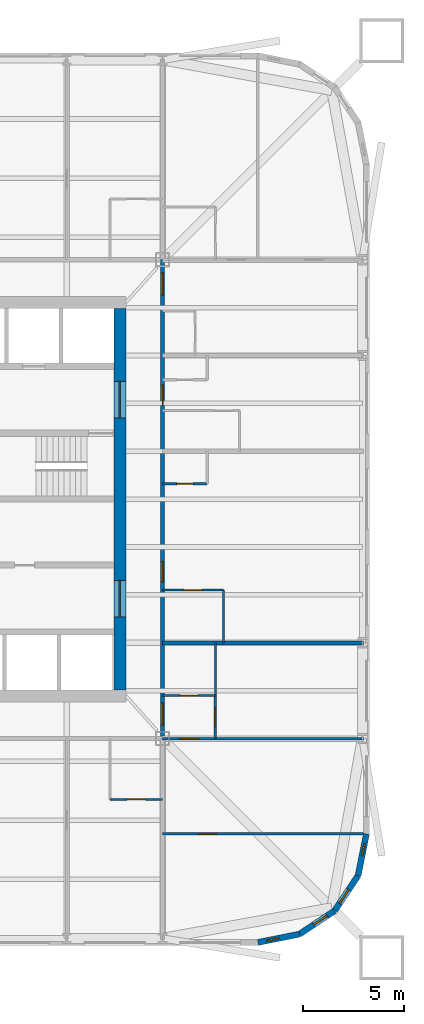
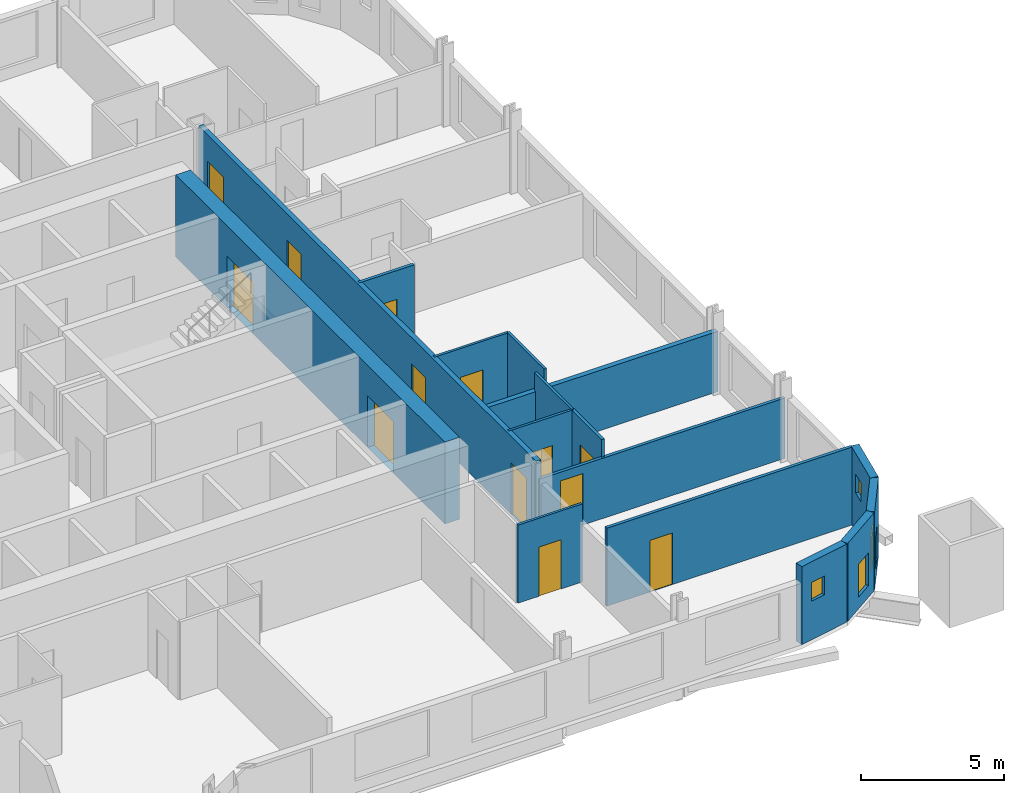
# One storey, part 5 of 9: 16 walls, 13 doors, 4 windows, 17 openings.
"""IFC4 building model written with IfcOpenShell, lengths in metres."""

from ifc_helpers import new_model, si_unit, direction, frame, frame_2d, origin, place, context, subcontext, project, spatial, rectangle, extrude, material, layer, layer_set, type_object, element, fill, save


model = new_model("IFC4")

# Units and contexts
model_context = context("Model", 3, precision=1e-05, world=origin(), true_north=direction((0.0, 1.0)))
body_context = subcontext(model_context, "Body", "Model", "MODEL_VIEW")
ifc_project = project(units=[si_unit("LENGTHUNIT", "METRE"), si_unit("AREAUNIT", "SQUARE_METRE"), si_unit("VOLUMEUNIT", "CUBIC_METRE"), si_unit("PLANEANGLEUNIT", "RADIAN"), si_unit("MASSUNIT", "GRAM", prefix="KILO")], contexts=[model_context])

# Site, building, storey
site_placement = place(None, origin())
site = spatial("IfcSite", under=ifc_project, at=site_placement, CompositionType="ELEMENT")
building_placement = place(site_placement, origin())
building = spatial("IfcBuilding", under=site, at=building_placement, Name="Turquesa Mirador Hotel Tower", CompositionType="ELEMENT")
storey_placement = place(building_placement, frame((0.0, 0.0, 81.0)))
storey = spatial("IfcBuildingStorey", under=building, at=storey_placement, Name="L21", CompositionType="ELEMENT", Elevation=81.0)

# Wall, opening, door
ifc_material_1 = material(Name="Gypsum board on steel studs", Category="steel")
ifc_layer_1 = layer(ifc_material_1, 0.10009765625)
ifc_layer_set_1 = layer_set([ifc_layer_1], Name="BATHROOM WALL 100")
wall_type_1 = type_object("IfcWallType", Name="BATHROOM WALL 100", PredefinedType="PARTITIONING", material=ifc_layer_set_1)
wall_1_placement = place(storey_placement, frame((64.199951171875, 30.199951171875, 0.0), z_axis=(0.0, 0.0, 1.0), x_axis=(1.0, 0.0, 0.0)))
wall_1 = element("IfcWall", 1, at=wall_1_placement, inside=storey, type_object=wall_type_1, Name="Partition L21 007", PredefinedType="PARTITIONING", context=body_context, shape_type="SweptSolid", body=[
    extrude(rectangle(XDim=2.60009765625, YDim=0.10009765625, at=frame_2d((1.300048828125, 0.0))), origin(), (0.0, 0.0, 1.0), 3.330078125),
])
opening_1_placement = place(wall_1_placement, frame((0.85009765625, 0.0, 0.0)))
opening_1 = element("IfcOpeningElement", 2, at=opening_1_placement, cuts=wall_1, Name="Opening D02", PredefinedType="OPENING", context=body_context, shape_type="SweptSolid", body=[
    extrude(rectangle(XDim=0.89990234375, YDim=2.10009765625, at=frame_2d((0.449951171875, 1.050048828125))), frame((0.0, 0.06005859375, 0.0), z_axis=(0.0, -1.0, 0.0), x_axis=(1.0, 0.0, 0.0)), (0.0, 0.0, 1.0), 0.1201171875),
])
ifc_material_2 = material(Name="Timber veneered door", Category="wood")
door_type_1 = type_object("IfcDoorType", Name="DOOR 900X2100 EN-SUITE", OperationType="SINGLE_SWING_RIGHT", PredefinedType="DOOR", material=ifc_material_2)
door_1_placement = place(opening_1_placement, origin())
door_1 = element("IfcDoor", 3, at=door_1_placement, inside=storey, type_object=door_type_1, Name="Door 2105B", OperationType="SINGLE_SWING_RIGHT", OverallHeight=2.10009765625, OverallWidth=0.89990234375, PredefinedType="DOOR", context=body_context, shape_type="SweptSolid", body=[
    extrude(rectangle(XDim=0.89990234375, YDim=2.10009765625, at=frame_2d((0.449951171875, 1.050048828125))), frame((0.0, 0.02490234375, 0.0), z_axis=(0.0, -1.0, 0.0), x_axis=(1.0, 0.0, 0.0)), (0.0, 0.0, 1.0), 0.050048828125),
])
fill(opening_1, door_1)

wall_2_placement = place(storey_placement, frame((66.800048828125, 40.52001953125, 0.0), z_axis=(0.0, 0.0, 1.0), x_axis=(1.0, 0.0, 0.0)))
wall_2 = element("IfcWall", 4, at=wall_2_placement, inside=storey, type_object=wall_type_1, Name="Partition L21 010", PredefinedType="PARTITIONING", context=body_context, shape_type="SweptSolid", body=[
    extrude(rectangle(XDim=3.0, YDim=0.10009765625, at=frame_2d((1.5, 0.0))), origin(), (0.0, 0.0, 1.0), 3.330078125),
])
opening_2_placement = place(wall_2_placement, frame((1.050048828125, 0.0, 0.0)))
opening_2 = element("IfcOpeningElement", 5, at=opening_2_placement, cuts=wall_2, Name="Opening D02", PredefinedType="OPENING", context=body_context, shape_type="SweptSolid", body=[
    extrude(rectangle(XDim=0.89990234375, YDim=2.10009765625, at=frame_2d((0.449951171875, 1.050048828125))), frame((0.0, 0.06005859375, 0.0), z_axis=(0.0, -1.0, 0.0), x_axis=(1.0, 0.0, 0.0)), (0.0, 0.0, 1.0), 0.1201171875),
])
door_2_placement = place(opening_2_placement, origin())
door_2 = element("IfcDoor", 6, at=door_2_placement, inside=storey, type_object=door_type_1, Name="Door 2106B", OperationType="SINGLE_SWING_RIGHT", OverallHeight=2.10009765625, OverallWidth=0.89990234375, PredefinedType="DOOR", context=body_context, shape_type="SweptSolid", body=[
    extrude(rectangle(XDim=0.89990234375, YDim=2.10009765625, at=frame_2d((0.449951171875, 1.050048828125))), frame((0.0, 0.02490234375, 0.0), z_axis=(0.0, -1.0, 0.0), x_axis=(1.0, 0.0, 0.0)), (0.0, 0.0, 1.0), 0.050048828125),
])
fill(opening_2, door_2)

wall_3_placement = place(storey_placement, frame((66.800048828125, 35.320068359375, 0.0), z_axis=(0.0, 0.0, 1.0), x_axis=(1.0, 0.0, 0.0)))
wall_3 = element("IfcWall", 7, at=wall_3_placement, inside=storey, type_object=wall_type_1, Name="Partition L21 016", PredefinedType="PARTITIONING", context=body_context, shape_type="SweptSolid", body=[
    extrude(rectangle(XDim=2.599853515625, YDim=0.10009765625, at=frame_2d((1.2998046875, 0.0))), origin(), (0.0, 0.0, 1.0), 3.330078125),
])
opening_3_placement = place(wall_3_placement, frame((0.85009765625, 0.0, 0.0)))
opening_3 = element("IfcOpeningElement", 8, at=opening_3_placement, cuts=wall_3, Name="Opening D02", PredefinedType="OPENING", context=body_context, shape_type="SweptSolid", body=[
    extrude(rectangle(XDim=0.89990234375, YDim=2.10009765625, at=frame_2d((0.449951171875, 1.050048828125))), frame((0.0, 0.06005859375, 0.0), z_axis=(0.0, -1.0, 0.0), x_axis=(1.0, 0.0, 0.0)), (0.0, 0.0, 1.0), 0.1201171875),
])
door_3_placement = place(opening_3_placement, origin())
door_3 = element("IfcDoor", 9, at=door_3_placement, inside=storey, type_object=door_type_1, Name="Door 2112B", OperationType="SINGLE_SWING_RIGHT", OverallHeight=2.10009765625, OverallWidth=0.89990234375, PredefinedType="DOOR", context=body_context, shape_type="SweptSolid", body=[
    extrude(rectangle(XDim=0.89990234375, YDim=2.10009765625, at=frame_2d((0.449951171875, 1.050048828125))), frame((0.0, 0.02490234375, 0.0), z_axis=(0.0, -1.0, 0.0), x_axis=(1.0, 0.0, 0.0)), (0.0, 0.0, 1.0), 0.050048828125),
])
fill(opening_3, door_3)

# Walls
wall_4_placement = place(storey_placement, frame((69.39990234375, 35.320068359375, 0.0), z_axis=(0.0, 0.0, 1.0), x_axis=(0.0, 1.0, 0.0)))
element("IfcWall", 10, at=wall_4_placement, inside=storey, type_object=wall_type_1, Name="Partition L21 068", PredefinedType="PARTITIONING", context=body_context, shape_type="SweptSolid", body=[
    extrude(rectangle(XDim=2.599853515625, YDim=0.10009765625, at=frame_2d((1.2998046875, 0.0))), origin(), (0.0, 0.0, 1.0), 3.330078125),
])
wall_5_placement = place(storey_placement, frame((69.800048828125, 37.919921875, 0.0), z_axis=(0.0, 0.0, 1.0), x_axis=(0.0, 1.0, 0.0)))
element("IfcWall", 11, at=wall_5_placement, inside=storey, type_object=wall_type_1, Name="Partition L21 071", PredefinedType="PARTITIONING", context=body_context, shape_type="SweptSolid", body=[
    extrude(rectangle(XDim=2.60009765625, YDim=0.10009765625, at=frame_2d((1.300048828125, 0.0))), origin(), (0.0, 0.0, 1.0), 3.330078125),
])

# Wall, openings, doors
ifc_material_3 = material(Name="Concrete C50/60", Category="concrete")
ifc_layer_2 = layer(ifc_material_3, 0.60009765625)
ifc_layer_set_2 = layer_set([ifc_layer_2], Name="CORE WALL 600")
wall_type_2 = type_object("IfcWallType", Name="CORE WALL 600", PredefinedType="SHEAR", material=ifc_layer_set_2)
wall_6_placement = place(storey_placement, frame((64.699951171875, 35.60009765625, 0.0), z_axis=(0.0, 0.0, 1.0), x_axis=(0.0, 1.0, 0.0)))
wall_6 = element("IfcWall", 12, at=wall_6_placement, inside=storey, type_object=wall_type_2, Name="Core wall E", PredefinedType="SHEAR", context=body_context, shape_type="SweptSolid", body=[
    extrude(rectangle(XDim=18.7998046875, YDim=0.60009765625, at=frame_2d((9.39990234375, 0.0))), origin(), (0.0, 0.0, 1.0), 3.5),
])
opening_4_placement = place(wall_6_placement, frame((13.39990234375, 0.0, 0.0)))
opening_4 = element("IfcOpeningElement", 13, at=opening_4_placement, cuts=wall_6, Name="Opening D04", PredefinedType="OPENING", context=body_context, shape_type="SweptSolid", body=[
    extrude(rectangle(XDim=1.800048828125, YDim=2.199951171875, at=frame_2d((0.89990234375, 1.10009765625))), frame((0.0, 0.31005859375, 0.0), z_axis=(0.0, -1.0, 0.0), x_axis=(1.0, 0.0, 0.0)), (0.0, 0.0, 1.0), 0.6201171875),
])
opening_5_placement = place(wall_6_placement, frame((3.60009765625, 0.0, 0.0)))
opening_5 = element("IfcOpeningElement", 14, at=opening_5_placement, cuts=wall_6, Name="Opening D04", PredefinedType="OPENING", context=body_context, shape_type="SweptSolid", body=[
    extrude(rectangle(XDim=1.800048828125, YDim=2.199951171875, at=frame_2d((0.89990234375, 1.10009765625))), frame((0.0, 0.31005859375, 0.0), z_axis=(0.0, -1.0, 0.0), x_axis=(1.0, 0.0, 0.0)), (0.0, 0.0, 1.0), 0.6201171875),
])
ifc_material_4 = material(Name="Steel fire door pair", Category="steel")
door_type_2 = type_object("IfcDoorType", Name="DOOR 1800X2200 PAIR", OperationType="DOUBLE_DOOR_SINGLE_SWING", PredefinedType="DOOR", material=ifc_material_4)
door_4_placement = place(opening_4_placement, origin())
door_4 = element("IfcDoor", 15, at=door_4_placement, inside=storey, type_object=door_type_2, Name="Firefighting lobby door", OperationType="DOUBLE_DOOR_SINGLE_SWING", OverallHeight=2.199951171875, OverallWidth=1.800048828125, PredefinedType="DOOR", context=body_context, shape_type="SweptSolid", body=[
    extrude(rectangle(XDim=1.800048828125, YDim=2.199951171875, at=frame_2d((0.89990234375, 1.10009765625))), frame((0.0, 0.02490234375, 0.0), z_axis=(0.0, -1.0, 0.0), x_axis=(1.0, 0.0, 0.0)), (0.0, 0.0, 1.0), 0.050048828125),
])
fill(opening_4, door_4)
door_5_placement = place(opening_5_placement, origin())
door_5 = element("IfcDoor", 16, at=door_5_placement, inside=storey, type_object=door_type_2, Name="South lift lobby door", OperationType="DOUBLE_DOOR_SINGLE_SWING", OverallHeight=2.199951171875, OverallWidth=1.800048828125, PredefinedType="DOOR", context=body_context, shape_type="SweptSolid", body=[
    extrude(rectangle(XDim=1.800048828125, YDim=2.199951171875, at=frame_2d((0.89990234375, 1.10009765625))), frame((0.0, 0.02490234375, 0.0), z_axis=(0.0, -1.0, 0.0), x_axis=(1.0, 0.0, 0.0)), (0.0, 0.0, 1.0), 0.050048828125),
])
fill(opening_5, door_5)

ifc_material_5 = material(Name="Fire-rated gypsum board on steel studs", Category="steel")
ifc_layer_3 = layer(ifc_material_5, 0.199951171875)
ifc_layer_set_3 = layer_set([ifc_layer_3], Name="CORRIDOR WALL 200")
wall_type_3 = type_object("IfcWallType", Name="CORRIDOR WALL 200", PredefinedType="PARTITIONING", material=ifc_layer_set_3)
wall_7_placement = place(storey_placement, frame((66.800048828125, 33.199951171875, 0.0), z_axis=(0.0, 0.0, 1.0), x_axis=(0.0, 1.0, 0.0)))
wall_7 = element("IfcWall", 17, at=wall_7_placement, inside=storey, type_object=wall_type_3, Name="Partition L21 062", PredefinedType="PARTITIONING", context=body_context, shape_type="SweptSolid", body=[
    extrude(rectangle(XDim=23.60009765625, YDim=0.199951171875, at=frame_2d((11.800048828125, 0.0))), origin(), (0.0, 0.0, 1.0), 3.330078125),
])
opening_6_placement = place(wall_7_placement, frame((7.719970703125, 0.0, 0.0)))
opening_6 = element("IfcOpeningElement", 18, at=opening_6_placement, cuts=wall_7, Name="Opening D01", PredefinedType="OPENING", context=body_context, shape_type="SweptSolid", body=[
    extrude(rectangle(XDim=1.0, YDim=2.199951171875, at=frame_2d((0.5, 1.10009765625))), frame((0.0, 0.10986328125, 0.0), z_axis=(0.0, -1.0, 0.0), x_axis=(1.0, 0.0, 0.0)), (0.0, 0.0, 1.0), 0.219970703125),
])
opening_7_placement = place(wall_7_placement, frame((16.419921875, 0.0, 0.0)))
opening_7 = element("IfcOpeningElement", 19, at=opening_7_placement, cuts=wall_7, Name="Opening D01", PredefinedType="OPENING", context=body_context, shape_type="SweptSolid", body=[
    extrude(rectangle(XDim=1.0, YDim=2.199951171875, at=frame_2d((0.5, 1.10009765625))), frame((0.0, 0.10986328125, 0.0), z_axis=(0.0, -1.0, 0.0), x_axis=(1.0, 0.0, 0.0)), (0.0, 0.0, 1.0), 0.219970703125),
])
opening_8_placement = place(wall_7_placement, frame((21.85009765625, 0.0, 0.0)))
opening_8 = element("IfcOpeningElement", 20, at=opening_8_placement, cuts=wall_7, Name="Opening D15", PredefinedType="OPENING", context=body_context, shape_type="SweptSolid", body=[
    extrude(rectangle(XDim=1.10009765625, YDim=2.199951171875, at=frame_2d((0.550048828125, 1.10009765625))), frame((0.0, 0.10986328125, 0.0), z_axis=(0.0, -1.0, 0.0), x_axis=(1.0, 0.0, 0.0)), (0.0, 0.0, 1.0), 0.219970703125),
])
opening_9_placement = place(wall_7_placement, frame((0.659912109375, 0.0, 0.0)))
opening_9 = element("IfcOpeningElement", 21, at=opening_9_placement, cuts=wall_7, Name="Opening D15", PredefinedType="OPENING", context=body_context, shape_type="SweptSolid", body=[
    extrude(rectangle(XDim=1.10009765625, YDim=2.199951171875, at=frame_2d((0.550048828125, 1.10009765625))), frame((0.0, 0.10986328125, 0.0), z_axis=(0.0, -1.0, 0.0), x_axis=(1.0, 0.0, 0.0)), (0.0, 0.0, 1.0), 0.219970703125),
])
ifc_material_6 = material(Name="Timber veneered fire door", Category="wood")
door_type_3 = type_object("IfcDoorType", Name="DOOR 1000X2200 GUEST ENTRY", OperationType="SINGLE_SWING_LEFT", PredefinedType="DOOR", material=ifc_material_6)
door_6_placement = place(opening_6_placement, origin())
door_6 = element("IfcDoor", 22, at=door_6_placement, inside=storey, type_object=door_type_3, Name="Door 2106", OperationType="SINGLE_SWING_LEFT", OverallHeight=2.199951171875, OverallWidth=1.0, PredefinedType="DOOR", context=body_context, shape_type="SweptSolid", body=[
    extrude(rectangle(XDim=1.0, YDim=2.199951171875, at=frame_2d((0.5, 1.10009765625))), frame((0.0, 0.02490234375, 0.0), z_axis=(0.0, -1.0, 0.0), x_axis=(1.0, 0.0, 0.0)), (0.0, 0.0, 1.0), 0.050048828125),
])
fill(opening_6, door_6)
door_7_placement = place(opening_7_placement, origin())
door_7 = element("IfcDoor", 23, at=door_7_placement, inside=storey, type_object=door_type_3, Name="Door 2107", OperationType="SINGLE_SWING_LEFT", OverallHeight=2.199951171875, OverallWidth=1.0, PredefinedType="DOOR", context=body_context, shape_type="SweptSolid", body=[
    extrude(rectangle(XDim=1.0, YDim=2.199951171875, at=frame_2d((0.5, 1.10009765625))), frame((0.0, 0.02490234375, 0.0), z_axis=(0.0, -1.0, 0.0), x_axis=(1.0, 0.0, 0.0)), (0.0, 0.0, 1.0), 0.050048828125),
])
fill(opening_7, door_7)
ifc_material_7 = material(Name="Timber veneered fire door", Category="wood")
door_type_4 = type_object("IfcDoorType", Name="DOOR 1100X2200 SUITE ENTRY", OperationType="SINGLE_SWING_LEFT", PredefinedType="DOOR", material=ifc_material_7)
door_8_placement = place(opening_8_placement, origin())
door_8 = element("IfcDoor", 24, at=door_8_placement, inside=storey, type_object=door_type_4, Name="Door 2109", OperationType="SINGLE_SWING_LEFT", OverallHeight=2.199951171875, OverallWidth=1.10009765625, PredefinedType="DOOR", context=body_context, shape_type="SweptSolid", body=[
    extrude(rectangle(XDim=1.10009765625, YDim=2.199951171875, at=frame_2d((0.550048828125, 1.10009765625))), frame((0.0, 0.02490234375, 0.0), z_axis=(0.0, -1.0, 0.0), x_axis=(1.0, 0.0, 0.0)), (0.0, 0.0, 1.0), 0.050048828125),
])
fill(opening_8, door_8)
door_9_placement = place(opening_9_placement, origin())
door_9 = element("IfcDoor", 25, at=door_9_placement, inside=storey, type_object=door_type_4, Name="Door 2112H", OperationType="SINGLE_SWING_LEFT", OverallHeight=2.199951171875, OverallWidth=1.10009765625, PredefinedType="DOOR", context=body_context, shape_type="SweptSolid", body=[
    extrude(rectangle(XDim=1.10009765625, YDim=2.199951171875, at=frame_2d((0.550048828125, 1.10009765625))), frame((0.0, 0.02490234375, 0.0), z_axis=(0.0, -1.0, 0.0), x_axis=(1.0, 0.0, 0.0)), (0.0, 0.0, 1.0), 0.050048828125),
])
fill(opening_9, door_9)

# Wall, opening, window
ifc_material_8 = material(Name="Limestone cladding on concrete block", Category="masonry")
ifc_layer_4 = layer(ifc_material_8, 0.300048828125)
ifc_layer_set_4 = layer_set([ifc_layer_4], Name="FACADE WALL 300 STONE SCREEN")
wall_type_4 = type_object("IfcWallType", Name="FACADE WALL 300 STONE SCREEN", PredefinedType="SOLIDWALL", material=ifc_layer_set_4)
wall_8_placement = place(storey_placement, frame((71.5, 23.14990234375, 0.0), z_axis=(0.0, 0.0, 1.0), x_axis=(0.980787050784, 0.195081421501, 0.0)))
wall_8 = element("IfcWall", 26, at=wall_8_placement, inside=storey, type_object=wall_type_4, Name="Facade wall L21 00", PredefinedType="SOLIDWALL", context=body_context, shape_type="SweptSolid", body=[
    extrude(rectangle(XDim=2.08740234375, YDim=0.300048828125, at=frame_2d((1.043701171875, 0.0))), origin(), (0.0, 0.0, 1.0), 3.330078125),
])
opening_10_placement = place(wall_8_placement, frame((0.443603515625, 0.0, 1.64990234375)))
opening_10 = element("IfcOpeningElement", 27, at=opening_10_placement, cuts=wall_8, Name="Opening WN10", PredefinedType="OPENING", context=body_context, shape_type="SweptSolid", body=[
    extrude(rectangle(XDim=0.60009765625, YDim=0.800048828125, at=frame_2d((0.300048828125, 0.39990234375))), frame((0.0, 0.159912109375, 0.0), z_axis=(0.0, -1.0, 0.0), x_axis=(1.0, 0.0, 0.0)), (0.0, 0.0, 1.0), 0.320068359375),
])
ifc_material_9 = material(Name="Ceramic-fritted laminated glass", Category="glass")
window_type_1 = type_object("IfcWindowType", Name="FRITTED CORNER WINDOW 600X800", PartitioningType="DOUBLE_PANEL_HORIZONTAL", PredefinedType="WINDOW", material=ifc_material_9)
window_1_placement = place(opening_10_placement, origin())
window_1 = element("IfcWindow", 28, at=window_1_placement, inside=storey, type_object=window_type_1, Name="Window L21", OverallHeight=0.800048828125, OverallWidth=0.60009765625, PartitioningType="SINGLE_PANEL", PredefinedType="WINDOW", context=body_context, shape_type="SweptSolid", body=[
    extrude(rectangle(XDim=0.60009765625, YDim=0.800048828125, at=frame_2d((0.300048828125, 0.39990234375))), frame((0.0, 0.030029296875, 0.0), z_axis=(0.0, -1.0, 0.0), x_axis=(1.0, 0.0, 0.0)), (0.0, 0.0, 1.0), 0.06005859375),
])
fill(opening_10, window_1)

wall_9_placement = place(storey_placement, frame((73.54736328125, 23.55712890625, 0.0), z_axis=(0.0, 0.0, 1.0), x_axis=(0.831420010345, 0.555644460423, 0.0)))
wall_9 = element("IfcWall", 29, at=wall_9_placement, inside=storey, type_object=wall_type_4, Name="Facade wall L21 01", PredefinedType="SOLIDWALL", context=body_context, shape_type="SweptSolid", body=[
    extrude(rectangle(XDim=2.08740234375, YDim=0.300048828125, at=frame_2d((1.043701171875, 0.0))), origin(), (0.0, 0.0, 1.0), 3.330078125),
])
opening_11_placement = place(wall_9_placement, frame((0.84375, 0.0, 0.5)))
opening_11 = element("IfcOpeningElement", 30, at=opening_11_placement, cuts=wall_9, Name="Opening WN20", PredefinedType="OPENING", context=body_context, shape_type="SweptSolid", body=[
    extrude(rectangle(XDim=0.800048828125, YDim=1.39990234375, at=frame_2d((0.39990234375, 0.699951171875))), frame((0.0, 0.159912109375, 0.0), z_axis=(0.0, -1.0, 0.0), x_axis=(1.0, 0.0, 0.0)), (0.0, 0.0, 1.0), 0.320068359375),
])
ifc_material_10 = material(Name="Ceramic-fritted laminated glass", Category="glass")
window_type_2 = type_object("IfcWindowType", Name="FRITTED CORNER WINDOW 800X1400", PartitioningType="DOUBLE_PANEL_HORIZONTAL", PredefinedType="WINDOW", material=ifc_material_10)
window_2_placement = place(opening_11_placement, origin())
window_2 = element("IfcWindow", 31, at=window_2_placement, inside=storey, type_object=window_type_2, Name="Window L21", OverallHeight=1.39990234375, OverallWidth=0.800048828125, PartitioningType="SINGLE_PANEL", PredefinedType="WINDOW", context=body_context, shape_type="SweptSolid", body=[
    extrude(rectangle(XDim=0.800048828125, YDim=1.39990234375, at=frame_2d((0.39990234375, 0.699951171875))), frame((0.0, 0.030029296875, 0.0), z_axis=(0.0, -1.0, 0.0), x_axis=(1.0, 0.0, 0.0)), (0.0, 0.0, 1.0), 0.06005859375),
])
fill(opening_11, window_2)

wall_10_placement = place(storey_placement, frame((75.282958984375, 24.717041015625, 0.0), z_axis=(0.0, 0.0, 1.0), x_axis=(0.555644460423, 0.831420010345, 0.0)))
wall_10 = element("IfcWall", 32, at=wall_10_placement, inside=storey, type_object=wall_type_4, Name="Facade wall L21 02", PredefinedType="SOLIDWALL", context=body_context, shape_type="SweptSolid", body=[
    extrude(rectangle(XDim=2.08740234375, YDim=0.300048828125, at=frame_2d((1.043701171875, 0.0))), origin(), (0.0, 0.0, 1.0), 3.330078125),
])
opening_12_placement = place(wall_10_placement, frame((0.443603515625, 0.0, 0.5)))
opening_12 = element("IfcOpeningElement", 33, at=opening_12_placement, cuts=wall_10, Name="Opening WN20", PredefinedType="OPENING", context=body_context, shape_type="SweptSolid", body=[
    extrude(rectangle(XDim=0.800048828125, YDim=1.39990234375, at=frame_2d((0.39990234375, 0.699951171875))), frame((0.0, 0.159912109375, 0.0), z_axis=(0.0, -1.0, 0.0), x_axis=(1.0, 0.0, 0.0)), (0.0, 0.0, 1.0), 0.320068359375),
])
window_3_placement = place(opening_12_placement, origin())
window_3 = element("IfcWindow", 34, at=window_3_placement, inside=storey, type_object=window_type_2, Name="Window L21", OverallHeight=1.39990234375, OverallWidth=0.800048828125, PartitioningType="SINGLE_PANEL", PredefinedType="WINDOW", context=body_context, shape_type="SweptSolid", body=[
    extrude(rectangle(XDim=0.800048828125, YDim=1.39990234375, at=frame_2d((0.39990234375, 0.699951171875))), frame((0.0, 0.030029296875, 0.0), z_axis=(0.0, -1.0, 0.0), x_axis=(1.0, 0.0, 0.0)), (0.0, 0.0, 1.0), 0.06005859375),
])
fill(opening_12, window_3)

wall_11_placement = place(storey_placement, frame((76.44287109375, 26.45263671875, 0.0), z_axis=(0.0, 0.0, 1.0), x_axis=(0.195081421501, 0.980787050784, 0.0)))
wall_11 = element("IfcWall", 35, at=wall_11_placement, inside=storey, type_object=wall_type_4, Name="Facade wall L21 03", PredefinedType="SOLIDWALL", context=body_context, shape_type="SweptSolid", body=[
    extrude(rectangle(XDim=2.08740234375, YDim=0.300048828125, at=frame_2d((1.043701171875, 0.0))), origin(), (0.0, 0.0, 1.0), 3.330078125),
])
opening_13_placement = place(wall_11_placement, frame((0.99365234375, 0.0, 1.64990234375)))
opening_13 = element("IfcOpeningElement", 36, at=opening_13_placement, cuts=wall_11, Name="Opening WN10", PredefinedType="OPENING", context=body_context, shape_type="SweptSolid", body=[
    extrude(rectangle(XDim=0.60009765625, YDim=0.800048828125, at=frame_2d((0.300048828125, 0.39990234375))), frame((0.0, 0.159912109375, 0.0), z_axis=(0.0, -1.0, 0.0), x_axis=(1.0, 0.0, 0.0)), (0.0, 0.0, 1.0), 0.320068359375),
])
window_4_placement = place(opening_13_placement, origin())
window_4 = element("IfcWindow", 37, at=window_4_placement, inside=storey, type_object=window_type_1, Name="Window L21", OverallHeight=0.800048828125, OverallWidth=0.60009765625, PartitioningType="SINGLE_PANEL", PredefinedType="WINDOW", context=body_context, shape_type="SweptSolid", body=[
    extrude(rectangle(XDim=0.60009765625, YDim=0.800048828125, at=frame_2d((0.300048828125, 0.39990234375))), frame((0.0, 0.030029296875, 0.0), z_axis=(0.0, -1.0, 0.0), x_axis=(1.0, 0.0, 0.0)), (0.0, 0.0, 1.0), 0.06005859375),
])
fill(opening_13, window_4)

# Wall
ifc_material_11 = material(Name="Fire-rated gypsum board on steel studs", Category="steel")
ifc_layer_5 = layer(ifc_material_11, 0.199951171875)
ifc_layer_set_5 = layer_set([ifc_layer_5], Name="PARTY WALL 200")
wall_type_5 = type_object("IfcWallType", Name="PARTY WALL 200", PredefinedType="PARTITIONING", material=ifc_layer_set_5)
wall_12_placement = place(storey_placement, frame((66.800048828125, 37.919921875, 0.0), z_axis=(0.0, 0.0, 1.0), x_axis=(1.0, 0.0, 0.0)))
element("IfcWall", 38, at=wall_12_placement, inside=storey, type_object=wall_type_5, Name="Partition L21 014", PredefinedType="PARTITIONING", context=body_context, shape_type="SweptSolid", body=[
    extrude(rectangle(XDim=9.89990234375, YDim=0.199951171875, at=frame_2d((4.949951171875, 0.0))), origin(), (0.0, 0.0, 1.0), 2.572998046875),
])

# Wall, opening, door
ifc_material_12 = material(Name="Acoustic gypsum board on steel studs", Category="steel")
ifc_layer_6 = layer(ifc_material_12, 0.125)
ifc_layer_set_6 = layer_set([ifc_layer_6], Name="SUITE PARTITION 125")
wall_type_6 = type_object("IfcWallType", Name="SUITE PARTITION 125", PredefinedType="PARTITIONING", material=ifc_layer_set_6)
wall_13_placement = place(storey_placement, frame((66.800048828125, 33.199951171875, 0.0), z_axis=(0.0, 0.0, 1.0), x_axis=(1.0, 0.0, 0.0)))
wall_13 = element("IfcWall", 39, at=wall_13_placement, inside=storey, type_object=wall_type_6, Name="Partition L21 003", PredefinedType="PARTITIONING", context=body_context, shape_type="SweptSolid", body=[
    extrude(rectangle(XDim=9.89990234375, YDim=0.125, at=frame_2d((4.949951171875, 0.0))), origin(), (0.0, 0.0, 1.0), 2.572998046875),
])
opening_14_placement = place(wall_13_placement, frame((0.85009765625, 0.0, 0.0)))
opening_14 = element("IfcOpeningElement", 40, at=opening_14_placement, cuts=wall_13, Name="Opening D17", PredefinedType="OPENING", context=body_context, shape_type="SweptSolid", body=[
    extrude(rectangle(XDim=0.89990234375, YDim=2.199951171875, at=frame_2d((0.449951171875, 1.10009765625))), frame((0.0, 0.072509765625, 0.0), z_axis=(0.0, -1.0, 0.0), x_axis=(1.0, 0.0, 0.0)), (0.0, 0.0, 1.0), 0.14501953125),
])
ifc_material_13 = material(Name="Timber veneered door", Category="wood")
door_type_5 = type_object("IfcDoorType", Name="DOOR 900X2200 SUITE INTERNAL", OperationType="SINGLE_SWING_LEFT", PredefinedType="DOOR", material=ifc_material_13)
door_10_placement = place(opening_14_placement, origin())
door_10 = element("IfcDoor", 41, at=door_10_placement, inside=storey, type_object=door_type_5, Name="Door 2112", OperationType="SINGLE_SWING_LEFT", OverallHeight=2.199951171875, OverallWidth=0.89990234375, PredefinedType="DOOR", context=body_context, shape_type="SweptSolid", body=[
    extrude(rectangle(XDim=0.89990234375, YDim=2.199951171875, at=frame_2d((0.449951171875, 1.10009765625))), frame((0.0, 0.02490234375, 0.0), z_axis=(0.0, -1.0, 0.0), x_axis=(1.0, 0.0, 0.0)), (0.0, 0.0, 1.0), 0.050048828125),
])
fill(opening_14, door_10)

wall_14_placement = place(storey_placement, frame((66.800048828125, 28.5, 0.0), z_axis=(0.0, 0.0, 1.0), x_axis=(1.0, 0.0, 0.0)))
wall_14 = element("IfcWall", 42, at=wall_14_placement, inside=storey, type_object=wall_type_6, Name="Partition L21 009", PredefinedType="PARTITIONING", context=body_context, shape_type="SweptSolid", body=[
    extrude(rectangle(XDim=9.89404296875, YDim=0.125, at=frame_2d((4.947021484375, 0.0))), origin(), (0.0, 0.0, 1.0), 3.330078125),
])
opening_15_placement = place(wall_14_placement, frame((1.75, 0.0, 0.0)))
opening_15 = element("IfcOpeningElement", 43, at=opening_15_placement, cuts=wall_14, Name="Opening D17", PredefinedType="OPENING", context=body_context, shape_type="SweptSolid", body=[
    extrude(rectangle(XDim=0.89990234375, YDim=2.199951171875, at=frame_2d((0.449951171875, 1.10009765625))), frame((0.0, 0.072509765625, 0.0), z_axis=(0.0, -1.0, 0.0), x_axis=(1.0, 0.0, 0.0)), (0.0, 0.0, 1.0), 0.14501953125),
])
door_11_placement = place(opening_15_placement, origin())
door_11 = element("IfcDoor", 44, at=door_11_placement, inside=storey, type_object=door_type_5, Name="Door 2112M", OperationType="SINGLE_SWING_LEFT", OverallHeight=2.199951171875, OverallWidth=0.89990234375, PredefinedType="DOOR", context=body_context, shape_type="SweptSolid", body=[
    extrude(rectangle(XDim=0.89990234375, YDim=2.199951171875, at=frame_2d((0.449951171875, 1.10009765625))), frame((0.0, 0.02490234375, 0.0), z_axis=(0.0, -1.0, 0.0), x_axis=(1.0, 0.0, 0.0)), (0.0, 0.0, 1.0), 0.050048828125),
])
fill(opening_15, door_11)

wall_15_placement = place(storey_placement, frame((66.800048828125, 45.760009765625, 0.0), z_axis=(0.0, 0.0, 1.0), x_axis=(1.0, 0.0, 0.0)))
wall_15 = element("IfcWall", 45, at=wall_15_placement, inside=storey, type_object=wall_type_6, Name="Partition L21 017", PredefinedType="PARTITIONING", context=body_context, shape_type="SweptSolid", body=[
    extrude(rectangle(XDim=2.199951171875, YDim=0.125, at=frame_2d((1.10009765625, 0.0))), origin(), (0.0, 0.0, 1.0), 3.330078125),
])
opening_16_placement = place(wall_15_placement, frame((0.699951171875, 0.0, 0.0)))
opening_16 = element("IfcOpeningElement", 46, at=opening_16_placement, cuts=wall_15, Name="Opening D20", PredefinedType="OPENING", context=body_context, shape_type="SweptSolid", body=[
    extrude(rectangle(XDim=0.800048828125, YDim=2.10009765625, at=frame_2d((0.39990234375, 1.050048828125))), frame((0.0, 0.072509765625, 0.0), z_axis=(0.0, -1.0, 0.0), x_axis=(1.0, 0.0, 0.0)), (0.0, 0.0, 1.0), 0.14501953125),
])
ifc_material_14 = material(Name="Timber veneered sliding door", Category="wood")
door_type_6 = type_object("IfcDoorType", Name="DOOR 800X2100 WARDROBE", OperationType="SLIDING_TO_LEFT", PredefinedType="DOOR", material=ifc_material_14)
door_12_placement = place(opening_16_placement, origin())
door_12 = element("IfcDoor", 47, at=door_12_placement, inside=storey, type_object=door_type_6, Name="Door 2106W", OperationType="SLIDING_TO_LEFT", OverallHeight=2.10009765625, OverallWidth=0.800048828125, PredefinedType="DOOR", context=body_context, shape_type="SweptSolid", body=[
    extrude(rectangle(XDim=0.800048828125, YDim=2.10009765625, at=frame_2d((0.39990234375, 1.050048828125))), frame((0.0, 0.02490234375, 0.0), z_axis=(0.0, -1.0, 0.0), x_axis=(1.0, 0.0, 0.0)), (0.0, 0.0, 1.0), 0.050048828125),
])
fill(opening_16, door_12)

wall_16_placement = place(storey_placement, frame((69.39990234375, 33.199951171875, 0.0), z_axis=(0.0, 0.0, 1.0), x_axis=(0.0, 1.0, 0.0)))
wall_16 = element("IfcWall", 48, at=wall_16_placement, inside=storey, type_object=wall_type_6, Name="Partition L21 070", PredefinedType="PARTITIONING", context=body_context, shape_type="SweptSolid", body=[
    extrude(rectangle(XDim=2.1201171875, YDim=0.125, at=frame_2d((1.06005859375, 0.0))), origin(), (0.0, 0.0, 1.0), 3.330078125),
])
opening_17_placement = place(wall_16_placement, frame((0.610107421875, 0.0, 0.0)))
opening_17 = element("IfcOpeningElement", 49, at=opening_17_placement, cuts=wall_16, Name="Opening D17", PredefinedType="OPENING", context=body_context, shape_type="SweptSolid", body=[
    extrude(rectangle(XDim=0.89990234375, YDim=2.199951171875, at=frame_2d((0.449951171875, 1.10009765625))), frame((0.0, 0.072509765625, 0.0), z_axis=(0.0, -1.0, 0.0), x_axis=(1.0, 0.0, 0.0)), (0.0, 0.0, 1.0), 0.14501953125),
])
door_13_placement = place(opening_17_placement, origin())
door_13 = element("IfcDoor", 50, at=door_13_placement, inside=storey, type_object=door_type_5, Name="Door 2112R", OperationType="SINGLE_SWING_LEFT", OverallHeight=2.199951171875, OverallWidth=0.89990234375, PredefinedType="DOOR", context=body_context, shape_type="SweptSolid", body=[
    extrude(rectangle(XDim=0.89990234375, YDim=2.199951171875, at=frame_2d((0.449951171875, 1.10009765625))), frame((0.0, 0.02490234375, 0.0), z_axis=(0.0, -1.0, 0.0), x_axis=(1.0, 0.0, 0.0)), (0.0, 0.0, 1.0), 0.050048828125),
])
fill(opening_17, door_13)

save(model, "model.ifc")
